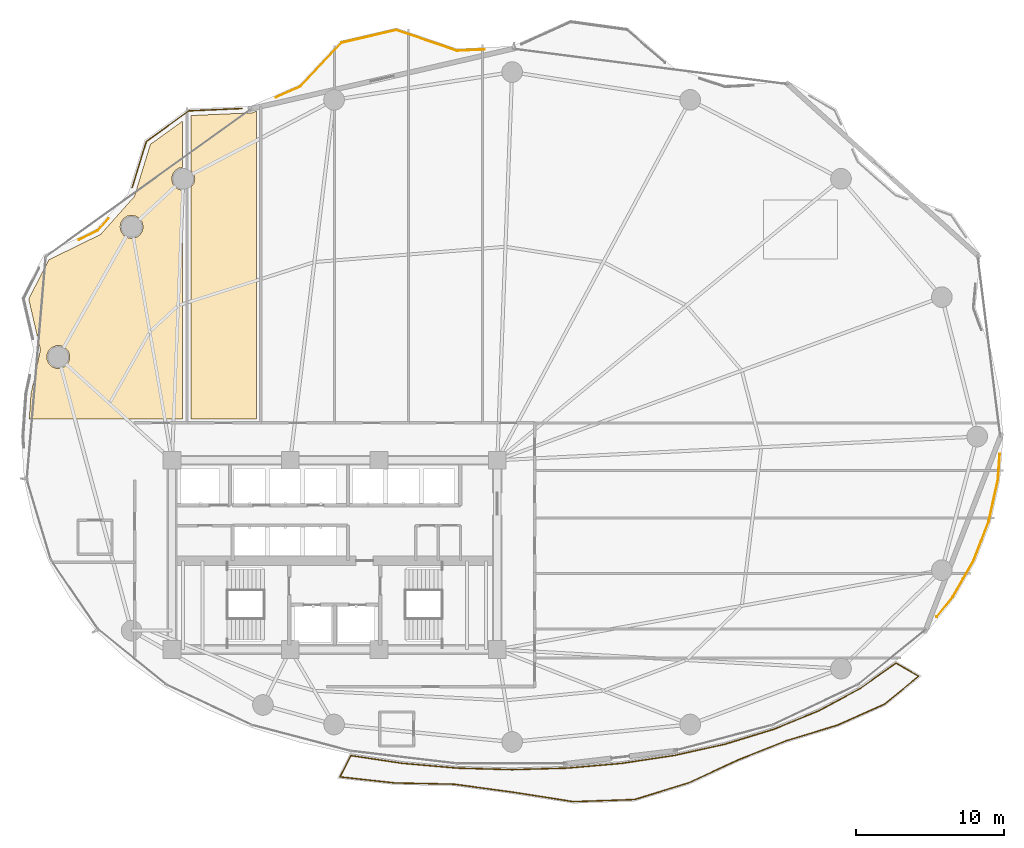
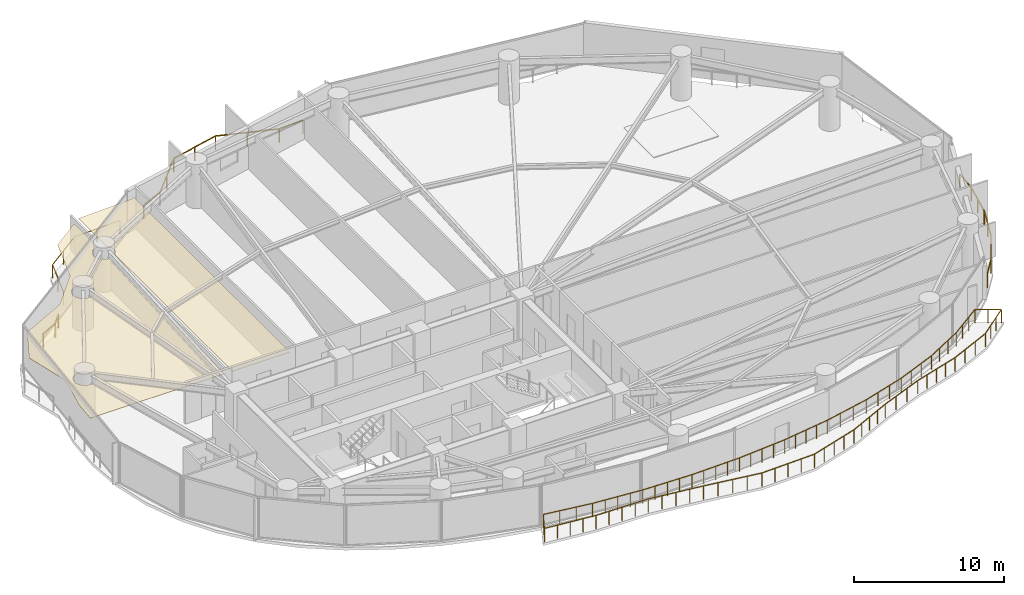
# One storey, part 29 of 30: 5 railings, 2 coverings.
"""IFC4 building model written with IfcOpenShell, lengths in metres."""

from ifc_helpers import new_model, si_unit, direction, frame, origin, origin_2d, place, context, subcontext, project, spatial, polyline, rectangle, outline, extrude, material, layer, layer_set, type_object, element, save


model = new_model("IFC4")

# Units and contexts
model_context = context("Model", 3, precision=1e-05, world=origin(), true_north=direction((0.0, 1.0)))
body_context = subcontext(model_context, "Body", "Model", "MODEL_VIEW")
ifc_project = project(units=[si_unit("LENGTHUNIT", "METRE"), si_unit("AREAUNIT", "SQUARE_METRE"), si_unit("VOLUMEUNIT", "CUBIC_METRE"), si_unit("PLANEANGLEUNIT", "RADIAN"), si_unit("MASSUNIT", "GRAM", prefix="KILO")], contexts=[model_context])

# Site, building, storey
site_placement = place(None, origin())
site = spatial("IfcSite", under=ifc_project, at=site_placement, CompositionType="ELEMENT")
building_placement = place(site_placement, origin())
building = spatial("IfcBuilding", under=site, at=building_placement, Name="Kazevale Care Tower and Concert Hall", CompositionType="ELEMENT")
storey_placement = place(building_placement, frame((0.0, 0.0, 70.800048828125)))
storey = spatial("IfcBuildingStorey", under=building, at=storey_placement, Name="L18", CompositionType="ELEMENT", Elevation=70.800048828125)

# Coverings
ifc_material_1 = material(Name="Acoustic Plaster and Hinoki Wood", Category="wood")
ifc_layer = layer(ifc_material_1, 0.0400390625)
ifc_layer_set = layer_set([ifc_layer], Name="Acoustic Plaster and Hinoki Wood")
covering_type = type_object("IfcCoveringType", Name="Acoustic Perforated Wood-Gypsum Ceiling", PredefinedType="CEILING", material=ifc_layer_set)
covering_1_placement = place(storey_placement, frame((0.0, 0.0, 2.7099609375)))
element("IfcCovering", 1, at=covering_1_placement, inside=storey, type_object=covering_type, Name="clg:L18:1", PredefinedType="CEILING", context=body_context, shape_type="SweptSolid", body=[
    extrude(outline(polyline([(12.30908203125, 47.302978515625), (13.669921875, 49.955078125), (17.172119140625, 51.672119140625), (19.452880859375, 54.22900390625), (20.5400390625, 57.763916015625), (22.719970703125, 59.3349609375), (22.719970703125, 56.2060546875), (22.4619140625, 56.15087890625), (22.2080078125, 55.98193359375), (22.0390625, 55.72802734375), (21.97998046875, 55.429931640625), (22.0390625, 55.132080078125), (22.2080078125, 54.8779296875), (22.4619140625, 54.708984375), (22.719970703125, 54.654052734375), (22.719970703125, 39.205078125), (12.345947265625, 39.205078125), (12.465087890625, 40.89111328125), (13.10400390625, 43.87890625), (12.30908203125, 47.302978515625)]), holes=[polyline([(19.990966796875, 52.47802734375), (19.822021484375, 52.73193359375), (19.568115234375, 52.90087890625), (19.27001953125, 52.9599609375), (18.971923828125, 52.90087890625), (18.718017578125, 52.73193359375), (18.549072265625, 52.47802734375), (18.489990234375, 52.179931640625), (18.549072265625, 51.882080078125), (18.718017578125, 51.6279296875), (18.971923828125, 51.458984375), (19.27001953125, 51.39990234375), (19.568115234375, 51.458984375), (19.822021484375, 51.6279296875), (19.990966796875, 51.882080078125), (20.050048828125, 52.179931640625), (19.990966796875, 52.47802734375)]), polyline([(15.074951171875, 43.531982421875), (14.958984375, 43.81298828125), (14.742919921875, 44.029052734375), (14.4619140625, 44.14501953125), (14.157958984375, 44.14501953125), (13.876953125, 44.029052734375), (13.660888671875, 43.81298828125), (13.544921875, 43.531982421875), (13.544921875, 43.22802734375), (13.660888671875, 42.947021484375), (13.876953125, 42.73095703125), (14.157958984375, 42.614990234375), (14.4619140625, 42.614990234375), (14.742919921875, 42.73095703125), (14.958984375, 42.947021484375), (15.074951171875, 43.22802734375), (15.074951171875, 43.531982421875)])]), origin(), (0.0, 0.0, 1.0), 0.0400390625),
])
covering_2_placement = place(storey_placement, frame((0.0, 0.0, 2.7099609375)))
element("IfcCovering", 2, at=covering_2_placement, inside=storey, type_object=covering_type, Name="clg:L18:2", PredefinedType="CEILING", context=body_context, shape_type="SweptSolid", body=[
    extrude(outline(polyline([(27.443115234375, 59.89794921875), (27.719970703125, 60.02001953125), (27.719970703125, 39.205078125), (23.280029296875, 39.205078125), (23.280029296875, 54.85302734375), (23.48095703125, 55.132080078125), (23.5400390625, 55.429931640625), (23.48095703125, 55.72802734375), (23.280029296875, 56.007080078125), (23.280029296875, 59.712890625), (27.443115234375, 59.89794921875)])), origin(), (0.0, 0.0, 1.0), 0.0400390625),
])

# Railings
ifc_material_2 = material(Name="Anodised Bronze Aluminium and Laminated Glass", Category="aluminium")
railing_type = type_object("IfcRailingType", Name="Balcony and Terrace Balustrade 1120", PredefinedType="BALUSTRADE", material=ifc_material_2)
railing_1_placement = place(storey_placement, frame((15.705078125, 51.30908203125, 0.0)))
element("IfcRailing", 3, at=railing_1_placement, inside=storey, type_object=railing_type, Name="rail:L18:perim:3", PredefinedType="BALUSTRADE", context=body_context, shape_type="SweptSolid", body=[
    extrude(rectangle(XDim=0.048095703125, YDim=0.048095703125, at=origin_2d()), frame((0.0, 0.0, 1.09619140625), z_axis=(0.897852496852, 0.440296370525, 0.0), x_axis=(-0.440296370525, 0.897852496852, 0.0)), (0.0, 0.0, 1.0), 1.41455078125),
    extrude(rectangle(XDim=0.048095703125, YDim=0.048095703125, at=origin_2d()), frame((1.27001953125, 0.622802734375, 1.09619140625), z_axis=(0.66593553458, 0.746009292022, 0.0), x_axis=(-0.746009292022, 0.66593553458, 0.0)), (0.0, 0.0, 1.0), 1.08837890625),
    extrude(rectangle(XDim=0.0419921875, YDim=0.0419921875, at=origin_2d()), origin(), (0.0, 0.0, 1.0), 1.072021484375),
    extrude(rectangle(XDim=0.0419921875, YDim=0.0419921875, at=origin_2d()), frame((1.27001953125, 0.622802734375, 0.0)), (0.0, 0.0, 1.0), 1.072021484375),
    extrude(rectangle(XDim=0.0419921875, YDim=0.0419921875, at=origin_2d()), frame((1.994873046875, 1.434814453125, 0.0)), (0.0, 0.0, 1.0), 1.072021484375),
])
railing_2_placement = place(storey_placement, frame((19.304931640625, 54.8349609375, 0.0)))
element("IfcRailing", 4, at=railing_2_placement, inside=storey, type_object=railing_type, Name="rail:L18:perim:4", PredefinedType="BALUSTRADE", context=body_context, shape_type="SweptSolid", body=[
    extrude(rectangle(XDim=0.048095703125, YDim=0.048095703125, at=origin_2d()), frame((0.0, 0.0, 1.09619140625), z_axis=(0.293644998859, 0.955914543589, 0.0), x_axis=(-0.955914543589, 0.293644998859, 0.0)), (0.0, 0.0, 1.0), 3.26904296875),
    extrude(rectangle(XDim=0.048095703125, YDim=0.048095703125, at=origin_2d()), frame((0.9599609375, 3.125, 1.09619140625), z_axis=(0.811163424766, 0.584819543383, 0.0), x_axis=(-0.584819543383, 0.811163424766, 0.0)), (0.0, 0.0, 1.0), 3.53466796875),
    extrude(rectangle(XDim=0.048095703125, YDim=0.048095703125, at=origin_2d()), frame((3.8271484375, 5.192138671875, 1.09619140625), z_axis=(0.999021313823, 0.044231374919, 0.0), x_axis=(-0.044231374919, 0.999021313823, 0.0)), (0.0, 0.0, 1.0), 3.615234375),
    extrude(rectangle(XDim=0.0419921875, YDim=0.0419921875, at=origin_2d()), origin(), (0.0, 0.0, 1.0), 1.072021484375),
    extrude(rectangle(XDim=0.0419921875, YDim=0.0419921875, at=origin_2d()), frame((0.47998046875, 1.5625, 0.0)), (0.0, 0.0, 1.0), 1.072021484375),
    extrude(rectangle(XDim=0.0419921875, YDim=0.0419921875, at=origin_2d()), frame((0.9599609375, 3.125, 0.0)), (0.0, 0.0, 1.0), 1.072021484375),
    extrude(rectangle(XDim=0.0419921875, YDim=0.0419921875, at=origin_2d()), frame((2.3935546875, 4.15869140625, 0.0)), (0.0, 0.0, 1.0), 1.072021484375),
    extrude(rectangle(XDim=0.0419921875, YDim=0.0419921875, at=origin_2d()), frame((3.8271484375, 5.192138671875, 0.0)), (0.0, 0.0, 1.0), 1.072021484375),
    extrude(rectangle(XDim=0.0419921875, YDim=0.0419921875, at=origin_2d()), frame((5.633056640625, 5.27197265625, 0.0)), (0.0, 0.0, 1.0), 1.072021484375),
    extrude(rectangle(XDim=0.0419921875, YDim=0.0419921875, at=origin_2d()), frame((7.43896484375, 5.35205078125, 0.0)), (0.0, 0.0, 1.0), 1.072021484375),
])
railing_3_placement = place(storey_placement, frame((29.02294921875, 60.94189453125, 0.0)))
element("IfcRailing", 5, at=railing_3_placement, inside=storey, type_object=railing_type, Name="rail:L18:perim:5", PredefinedType="BALUSTRADE", context=body_context, shape_type="SweptSolid", body=[
    extrude(rectangle(XDim=0.048095703125, YDim=0.048095703125, at=origin_2d()), frame((0.0, 0.0, 1.09619140625), z_axis=(0.915551857472, 0.402199945649, 0.0), x_axis=(-0.402199945649, 0.915551857472, 0.0)), (0.0, 0.0, 1.0), 1.8076171875),
    extrude(rectangle(XDim=0.048095703125, YDim=0.048095703125, at=origin_2d()), frame((1.655029296875, 0.72705078125, 1.09619140625), z_axis=(0.685012615357, 0.728531205098, 0.0), x_axis=(-0.728531205098, 0.685012615357, 0.0)), (0.0, 0.0, 1.0), 4.0673828125),
    extrude(rectangle(XDim=0.048095703125, YDim=0.048095703125, at=origin_2d()), frame((4.441162109375, 3.690185546875, 1.09619140625), z_axis=(0.974021191549, 0.226456879811, 0.0), x_axis=(-0.226456879811, 0.974021191549, 0.0)), (0.0, 0.0, 1.0), 3.8056640625),
    extrude(rectangle(XDim=0.048095703125, YDim=0.048095703125, at=origin_2d()), frame((8.14794921875, 4.552001953125, 1.09619140625), z_axis=(0.946095269319, -0.323888470578, 0.0), x_axis=(0.323888470578, 0.946095269319, 0.0)), (0.0, 0.0, 1.0), 4.3251953125),
    extrude(rectangle(XDim=0.048095703125, YDim=0.048095703125, at=origin_2d()), frame((12.239990234375, 3.151123046875, 1.09619140625), z_axis=(0.999004839939, 0.044601903302, 0.0), x_axis=(-0.044601903302, 0.999004839939, 0.0)), (0.0, 0.0, 1.0), 1.883056640625),
    extrude(rectangle(XDim=0.0419921875, YDim=0.0419921875, at=origin_2d()), origin(), (0.0, 0.0, 1.0), 1.072021484375),
    extrude(rectangle(XDim=0.0419921875, YDim=0.0419921875, at=origin_2d()), frame((1.655029296875, 0.72705078125, 0.0)), (0.0, 0.0, 1.0), 1.072021484375),
    extrude(rectangle(XDim=0.0419921875, YDim=0.0419921875, at=origin_2d()), frame((3.048095703125, 2.20849609375, 0.0)), (0.0, 0.0, 1.0), 1.072021484375),
    extrude(rectangle(XDim=0.0419921875, YDim=0.0419921875, at=origin_2d()), frame((4.441162109375, 3.690185546875, 0.0)), (0.0, 0.0, 1.0), 1.072021484375),
    extrude(rectangle(XDim=0.0419921875, YDim=0.0419921875, at=origin_2d()), frame((6.29443359375, 4.12109375, 0.0)), (0.0, 0.0, 1.0), 1.072021484375),
    extrude(rectangle(XDim=0.0419921875, YDim=0.0419921875, at=origin_2d()), frame((8.14794921875, 4.552001953125, 0.0)), (0.0, 0.0, 1.0), 1.072021484375),
    extrude(rectangle(XDim=0.0419921875, YDim=0.0419921875, at=origin_2d()), frame((10.19384765625, 3.8515625, 0.0)), (0.0, 0.0, 1.0), 1.072021484375),
    extrude(rectangle(XDim=0.0419921875, YDim=0.0419921875, at=origin_2d()), frame((12.239990234375, 3.151123046875, 0.0)), (0.0, 0.0, 1.0), 1.072021484375),
    extrude(rectangle(XDim=0.0419921875, YDim=0.0419921875, at=origin_2d()), frame((14.12109375, 3.235107421875, 0.0)), (0.0, 0.0, 1.0), 1.072021484375),
])
railing_4_placement = place(storey_placement, frame((77.97705078125, 36.833984375, 0.0)))
element("IfcRailing", 6, at=railing_4_placement, inside=storey, type_object=railing_type, Name="rail:L18:perim:11", PredefinedType="BALUSTRADE", context=body_context, shape_type="SweptSolid", body=[
    extrude(rectangle(XDim=0.048095703125, YDim=0.048095703125, at=origin_2d()), frame((0.0, 0.0, 1.09619140625), z_axis=(-0.071286628485, -0.997455872006, 0.0), x_axis=(0.997455872006, -0.071286628485, 0.0)), (0.0, 0.0, 1.0), 1.75341796875),
    extrude(rectangle(XDim=0.048095703125, YDim=0.048095703125, at=origin_2d()), frame((-0.125, -1.7490234375, 1.09619140625), z_axis=(-0.215098010705, -0.976592466585, 0.0), x_axis=(0.976592466585, -0.215098010705, 0.0)), (0.0, 0.0, 1.0), 2.87841796875),
    extrude(rectangle(XDim=0.048095703125, YDim=0.048095703125, at=origin_2d()), frame((-0.744140625, -4.56005859375, 1.09619140625), z_axis=(-0.359784505971, -0.933035427657, 0.0), x_axis=(0.933035427657, -0.359784505971, 0.0)), (0.0, 0.0, 1.0), 2.84326171875),
    extrude(rectangle(XDim=0.048095703125, YDim=0.048095703125, at=origin_2d()), frame((-1.76708984375, -7.212890625, 1.09619140625), z_axis=(-0.498807638719, -0.866712720315, 0.0), x_axis=(0.866712720315, -0.498807638719, 0.0)), (0.0, 0.0, 1.0), 2.8349609375),
    extrude(rectangle(XDim=0.048095703125, YDim=0.048095703125, at=origin_2d()), frame((-3.18115234375, -9.669921875, 1.09619140625), z_axis=(-0.624746863437, -0.780827353917, 0.0), x_axis=(0.780827353917, -0.624746863437, 0.0)), (0.0, 0.0, 1.0), 1.7236328125),
    extrude(rectangle(XDim=0.0419921875, YDim=0.0419921875, at=origin_2d()), origin(), (0.0, 0.0, 1.0), 1.072021484375),
    extrude(rectangle(XDim=0.0419921875, YDim=0.0419921875, at=origin_2d()), frame((-0.125, -1.7490234375, 0.0)), (0.0, 0.0, 1.0), 1.072021484375),
    extrude(rectangle(XDim=0.0419921875, YDim=0.0419921875, at=origin_2d()), frame((-0.4345703125, -3.154541015625, 0.0)), (0.0, 0.0, 1.0), 1.072021484375),
    extrude(rectangle(XDim=0.0419921875, YDim=0.0419921875, at=origin_2d()), frame((-0.744140625, -4.56005859375, 0.0)), (0.0, 0.0, 1.0), 1.072021484375),
    extrude(rectangle(XDim=0.0419921875, YDim=0.0419921875, at=origin_2d()), frame((-1.255615234375, -5.886474609375, 0.0)), (0.0, 0.0, 1.0), 1.072021484375),
    extrude(rectangle(XDim=0.0419921875, YDim=0.0419921875, at=origin_2d()), frame((-1.76708984375, -7.212890625, 0.0)), (0.0, 0.0, 1.0), 1.072021484375),
    extrude(rectangle(XDim=0.0419921875, YDim=0.0419921875, at=origin_2d()), frame((-2.47412109375, -8.44140625, 0.0)), (0.0, 0.0, 1.0), 1.072021484375),
    extrude(rectangle(XDim=0.0419921875, YDim=0.0419921875, at=origin_2d()), frame((-3.18115234375, -9.669921875, 0.0)), (0.0, 0.0, 1.0), 1.072021484375),
    extrude(rectangle(XDim=0.0419921875, YDim=0.0419921875, at=origin_2d()), frame((-4.258056640625, -11.015869140625, 0.0)), (0.0, 0.0, 1.0), 1.072021484375),
])
railing_5_placement = place(storey_placement, frame((34.10009765625, 16.427978515625, 0.0)))
element("IfcRailing", 7, at=railing_5_placement, inside=storey, type_object=railing_type, Name="rail:L18:balcony", PredefinedType="BALUSTRADE", context=body_context, shape_type="SweptSolid", body=[
    extrude(rectangle(XDim=0.048095703125, YDim=0.048095703125, at=origin_2d()), frame((0.0, 0.0, 1.09619140625), z_axis=(0.988835380671, -0.149012046267, 0.0), x_axis=(0.149012046267, 0.988835380671, 0.0)), (0.0, 0.0, 1.0), 3.537353515625),
    extrude(rectangle(XDim=0.048095703125, YDim=0.048095703125, at=origin_2d()), frame((3.497802734375, -0.527099609375, 1.09619140625), z_axis=(0.996240588196, -0.086629616365, 0.0), x_axis=(0.086629616365, 0.996240588196, 0.0)), (0.0, 0.0, 1.0), 3.69189453125),
    extrude(rectangle(XDim=0.048095703125, YDim=0.048095703125, at=origin_2d()), frame((7.17578125, -0.846923828125, 1.09619140625), z_axis=(0.999595500109, -0.02844004504, 0.0), x_axis=(0.02844004504, 0.999595500109, 0.0)), (0.0, 0.0, 1.0), 3.7255859375),
    extrude(rectangle(XDim=0.048095703125, YDim=0.048095703125, at=origin_2d()), frame((10.89990234375, -0.952880859375, 1.09619140625), z_axis=(0.999595500109, 0.02844004504, 0.0), x_axis=(-0.02844004504, 0.999595500109, 0.0)), (0.0, 0.0, 1.0), 3.7255859375),
    extrude(rectangle(XDim=0.048095703125, YDim=0.048095703125, at=origin_2d()), frame((14.6240234375, -0.846923828125, 1.09619140625), z_axis=(0.996240588196, 0.086629616365, 0.0), x_axis=(-0.086629616365, 0.996240588196, 0.0)), (0.0, 0.0, 1.0), 3.69189453125),
    extrude(rectangle(XDim=0.048095703125, YDim=0.048095703125, at=origin_2d()), frame((18.302001953125, -0.527099609375, 1.09619140625), z_axis=(0.988849271471, 0.148919838541, 0.0), x_axis=(-0.148919838541, 0.988849271471, 0.0)), (0.0, 0.0, 1.0), 3.62646484375),
    extrude(rectangle(XDim=0.048095703125, YDim=0.048095703125, at=origin_2d()), frame((21.887939453125, 0.012939453125, 1.09619140625), z_axis=(0.976148024322, 0.217106044625, 0.0), x_axis=(-0.217106044625, 0.976148024322, 0.0)), (0.0, 0.0, 1.0), 3.533203125),
    extrude(rectangle(XDim=0.048095703125, YDim=0.048095703125, at=origin_2d()), frame((25.3369140625, 0.780029296875, 1.09619140625), z_axis=(0.95593940193, 0.293564064282, 0.0), x_axis=(-0.293564064282, 0.95593940193, 0.0)), (0.0, 0.0, 1.0), 3.419677734375),
    extrude(rectangle(XDim=0.048095703125, YDim=0.048095703125, at=origin_2d()), frame((28.60595703125, 1.783935546875, 1.09619140625), z_axis=(0.925168618375, 0.379556356256, 0.0), x_axis=(-0.379556356256, 0.925168618375, 0.0)), (0.0, 0.0, 1.0), 3.293212890625),
    extrude(rectangle(XDim=0.048095703125, YDim=0.048095703125, at=origin_2d()), frame((31.65283203125, 3.033935546875, 1.09619140625), z_axis=(0.880032904554, 0.474912715036, 0.0), x_axis=(-0.474912715036, 0.880032904554, 0.0)), (0.0, 0.0, 1.0), 3.169189453125),
    extrude(rectangle(XDim=0.048095703125, YDim=0.048095703125, at=origin_2d()), frame((34.44189453125, 4.5390625, 1.09619140625), z_axis=(0.816594193991, 0.577212198711, 0.0), x_axis=(-0.577212198711, 0.816594193991, 0.0)), (0.0, 0.0, 1.0), 2.970947265625),
    extrude(rectangle(XDim=0.048095703125, YDim=0.048095703125, at=origin_2d()), frame((36.867919921875, 6.25390625, 1.09619140625), z_axis=(0.863206921389, -0.504850285596, 0.0), x_axis=(0.504850285596, 0.863206921389, 0.0)), (0.0, 0.0, 1.0), 1.7666015625),
    extrude(rectangle(XDim=0.048095703125, YDim=0.048095703125, at=origin_2d()), frame((38.392822265625, 5.362060546875, 1.09619140625), z_axis=(-0.77569879253, -0.631103306335, 0.0), x_axis=(0.631103306335, -0.77569879253, 0.0)), (0.0, 0.0, 1.0), 2.98681640625),
    extrude(rectangle(XDim=0.048095703125, YDim=0.048095703125, at=origin_2d()), frame((36.075927734375, 3.47705078125, 1.09619140625), z_axis=(-0.912787896612, -0.40843390628, 0.0), x_axis=(0.40843390628, -0.912787896612, 0.0)), (0.0, 0.0, 1.0), 3.4716796875),
    extrude(rectangle(XDim=0.048095703125, YDim=0.048095703125, at=origin_2d()), frame((32.906982421875, 2.05908203125, 1.09619140625), z_axis=(-0.956592407405, -0.291429178525, 0.0), x_axis=(0.291429178525, -0.956592407405, 0.0)), (0.0, 0.0, 1.0), 3.630859375),
    extrude(rectangle(XDim=0.048095703125, YDim=0.048095703125, at=origin_2d()), frame((29.433837890625, 1.0009765625, 1.09619140625), z_axis=(-0.929112783514, -0.369796478501, 0.0), x_axis=(0.369796478501, -0.929112783514, 0.0)), (0.0, 0.0, 1.0), 3.512939453125),
    extrude(rectangle(XDim=0.048095703125, YDim=0.048095703125, at=origin_2d()), frame((26.169921875, -0.298095703125, 1.09619140625), z_axis=(-0.906415343657, -0.422387529151, 0.0), x_axis=(0.422387529151, -0.906415343657, 0.0)), (0.0, 0.0, 1.0), 3.6240234375),
    extrude(rectangle(XDim=0.048095703125, YDim=0.048095703125, at=origin_2d()), frame((22.885009765625, -1.828857421875, 1.09619140625), z_axis=(-0.955596785505, -0.294677422843, 0.0), x_axis=(0.294677422843, -0.955596785505, 0.0)), (0.0, 0.0, 1.0), 3.8857421875),
    extrude(rectangle(XDim=0.048095703125, YDim=0.048095703125, at=origin_2d()), frame((19.171875, -2.973876953125, 1.09619140625), z_axis=(-0.999416204471, -0.034165044132, 0.0), x_axis=(0.034165044132, -0.999416204471, 0.0)), (0.0, 0.0, 1.0), 4.13037109375),
    extrude(rectangle(XDim=0.048095703125, YDim=0.048095703125, at=origin_2d()), frame((15.0439453125, -3.114990234375, 1.09619140625), z_axis=(-0.987933908296, 0.154876056376, 0.0), x_axis=(-0.154876056376, -0.987933908296, 0.0)), (0.0, 0.0, 1.0), 4.17724609375),
    extrude(rectangle(XDim=0.048095703125, YDim=0.048095703125, at=origin_2d()), frame((10.9169921875, -2.468017578125, 1.09619140625), z_axis=(-0.99097395301, 0.134054557756, 0.0), x_axis=(-0.134054557756, -0.99097395301, 0.0)), (0.0, 0.0, 1.0), 3.98291015625),
    extrude(rectangle(XDim=0.048095703125, YDim=0.048095703125, at=origin_2d()), frame((6.969970703125, -1.93408203125, 1.09619140625), z_axis=(-0.999787348797, 0.020621764837, 0.0), x_axis=(-0.020621764837, -0.999787348797, 0.0)), (0.0, 0.0, 1.0), 3.977783203125),
    extrude(rectangle(XDim=0.048095703125, YDim=0.048095703125, at=origin_2d()), frame((2.992919921875, -1.85205078125, 1.09619140625), z_axis=(-0.994039792805, 0.109017844048, 0.0), x_axis=(-0.109017844048, -0.994039792805, 0.0)), (0.0, 0.0, 1.0), 3.75341796875),
    extrude(rectangle(XDim=0.048095703125, YDim=0.048095703125, at=origin_2d()), frame((-0.738037109375, -1.44287109375, 1.09619140625), z_axis=(0.455389730462, 0.890292195512, 0.0), x_axis=(-0.890292195512, 0.455389730462, 0.0)), (0.0, 0.0, 1.0), 1.62060546875),
    extrude(rectangle(XDim=0.0419921875, YDim=0.0419921875, at=origin_2d()), origin(), (0.0, 0.0, 1.0), 1.072021484375),
    extrude(rectangle(XDim=0.0419921875, YDim=0.0419921875, at=origin_2d()), frame((1.166015625, -0.17578125, 0.0)), (0.0, 0.0, 1.0), 1.072021484375),
    extrude(rectangle(XDim=0.0419921875, YDim=0.0419921875, at=origin_2d()), frame((2.331787109375, -0.351318359375, 0.0)), (0.0, 0.0, 1.0), 1.072021484375),
    extrude(rectangle(XDim=0.0419921875, YDim=0.0419921875, at=origin_2d()), frame((3.497802734375, -0.527099609375, 0.0)), (0.0, 0.0, 1.0), 1.072021484375),
    extrude(rectangle(XDim=0.0419921875, YDim=0.0419921875, at=origin_2d()), frame((4.417236328125, -0.60693359375, 0.0)), (0.0, 0.0, 1.0), 1.072021484375),
    extrude(rectangle(XDim=0.0419921875, YDim=0.0419921875, at=origin_2d()), frame((5.3369140625, -0.68701171875, 0.0)), (0.0, 0.0, 1.0), 1.072021484375),
    extrude(rectangle(XDim=0.0419921875, YDim=0.0419921875, at=origin_2d()), frame((6.25634765625, -0.76708984375, 0.0)), (0.0, 0.0, 1.0), 1.072021484375),
    extrude(rectangle(XDim=0.0419921875, YDim=0.0419921875, at=origin_2d()), frame((7.17578125, -0.846923828125, 0.0)), (0.0, 0.0, 1.0), 1.072021484375),
    extrude(rectangle(XDim=0.0419921875, YDim=0.0419921875, at=origin_2d()), frame((8.10693359375, -0.87353515625, 0.0)), (0.0, 0.0, 1.0), 1.072021484375),
    extrude(rectangle(XDim=0.0419921875, YDim=0.0419921875, at=origin_2d()), frame((9.037841796875, -0.89990234375, 0.0)), (0.0, 0.0, 1.0), 1.072021484375),
    extrude(rectangle(XDim=0.0419921875, YDim=0.0419921875, at=origin_2d()), frame((9.96875, -0.92626953125, 0.0)), (0.0, 0.0, 1.0), 1.072021484375),
    extrude(rectangle(XDim=0.0419921875, YDim=0.0419921875, at=origin_2d()), frame((10.89990234375, -0.952880859375, 0.0)), (0.0, 0.0, 1.0), 1.072021484375),
    extrude(rectangle(XDim=0.0419921875, YDim=0.0419921875, at=origin_2d()), frame((11.8310546875, -0.92626953125, 0.0)), (0.0, 0.0, 1.0), 1.072021484375),
    extrude(rectangle(XDim=0.0419921875, YDim=0.0419921875, at=origin_2d()), frame((12.761962890625, -0.89990234375, 0.0)), (0.0, 0.0, 1.0), 1.072021484375),
    extrude(rectangle(XDim=0.0419921875, YDim=0.0419921875, at=origin_2d()), frame((13.69287109375, -0.87353515625, 0.0)), (0.0, 0.0, 1.0), 1.072021484375),
    extrude(rectangle(XDim=0.0419921875, YDim=0.0419921875, at=origin_2d()), frame((14.6240234375, -0.846923828125, 0.0)), (0.0, 0.0, 1.0), 1.072021484375),
    extrude(rectangle(XDim=0.0419921875, YDim=0.0419921875, at=origin_2d()), frame((15.54345703125, -0.76708984375, 0.0)), (0.0, 0.0, 1.0), 1.072021484375),
    extrude(rectangle(XDim=0.0419921875, YDim=0.0419921875, at=origin_2d()), frame((16.462890625, -0.68701171875, 0.0)), (0.0, 0.0, 1.0), 1.072021484375),
    extrude(rectangle(XDim=0.0419921875, YDim=0.0419921875, at=origin_2d()), frame((17.382568359375, -0.60693359375, 0.0)), (0.0, 0.0, 1.0), 1.072021484375),
    extrude(rectangle(XDim=0.0419921875, YDim=0.0419921875, at=origin_2d()), frame((18.302001953125, -0.527099609375, 0.0)), (0.0, 0.0, 1.0), 1.072021484375),
    extrude(rectangle(XDim=0.0419921875, YDim=0.0419921875, at=origin_2d()), frame((19.198486328125, -0.39208984375, 0.0)), (0.0, 0.0, 1.0), 1.072021484375),
    extrude(rectangle(XDim=0.0419921875, YDim=0.0419921875, at=origin_2d()), frame((20.094970703125, -0.257080078125, 0.0)), (0.0, 0.0, 1.0), 1.072021484375),
    extrude(rectangle(XDim=0.0419921875, YDim=0.0419921875, at=origin_2d()), frame((20.991455078125, -0.1220703125, 0.0)), (0.0, 0.0, 1.0), 1.072021484375),
    extrude(rectangle(XDim=0.0419921875, YDim=0.0419921875, at=origin_2d()), frame((21.887939453125, 0.012939453125, 0.0)), (0.0, 0.0, 1.0), 1.072021484375),
    extrude(rectangle(XDim=0.0419921875, YDim=0.0419921875, at=origin_2d()), frame((23.03759765625, 0.2685546875, 0.0)), (0.0, 0.0, 1.0), 1.072021484375),
    extrude(rectangle(XDim=0.0419921875, YDim=0.0419921875, at=origin_2d()), frame((24.187255859375, 0.5244140625, 0.0)), (0.0, 0.0, 1.0), 1.072021484375),
    extrude(rectangle(XDim=0.0419921875, YDim=0.0419921875, at=origin_2d()), frame((25.3369140625, 0.780029296875, 0.0)), (0.0, 0.0, 1.0), 1.072021484375),
    extrude(rectangle(XDim=0.0419921875, YDim=0.0419921875, at=origin_2d()), frame((26.426513671875, 1.11474609375, 0.0)), (0.0, 0.0, 1.0), 1.072021484375),
    extrude(rectangle(XDim=0.0419921875, YDim=0.0419921875, at=origin_2d()), frame((27.516357421875, 1.44921875, 0.0)), (0.0, 0.0, 1.0), 1.072021484375),
    extrude(rectangle(XDim=0.0419921875, YDim=0.0419921875, at=origin_2d()), frame((28.60595703125, 1.783935546875, 0.0)), (0.0, 0.0, 1.0), 1.072021484375),
    extrude(rectangle(XDim=0.0419921875, YDim=0.0419921875, at=origin_2d()), frame((29.62158203125, 2.20068359375, 0.0)), (0.0, 0.0, 1.0), 1.072021484375),
    extrude(rectangle(XDim=0.0419921875, YDim=0.0419921875, at=origin_2d()), frame((30.63720703125, 2.6171875, 0.0)), (0.0, 0.0, 1.0), 1.072021484375),
    extrude(rectangle(XDim=0.0419921875, YDim=0.0419921875, at=origin_2d()), frame((31.65283203125, 3.033935546875, 0.0)), (0.0, 0.0, 1.0), 1.072021484375),
    extrude(rectangle(XDim=0.0419921875, YDim=0.0419921875, at=origin_2d()), frame((32.58251953125, 3.53564453125, 0.0)), (0.0, 0.0, 1.0), 1.072021484375),
    extrude(rectangle(XDim=0.0419921875, YDim=0.0419921875, at=origin_2d()), frame((33.51220703125, 4.037353515625, 0.0)), (0.0, 0.0, 1.0), 1.072021484375),
    extrude(rectangle(XDim=0.0419921875, YDim=0.0419921875, at=origin_2d()), frame((34.44189453125, 4.5390625, 0.0)), (0.0, 0.0, 1.0), 1.072021484375),
    extrude(rectangle(XDim=0.0419921875, YDim=0.0419921875, at=origin_2d()), frame((35.25048828125, 5.110595703125, 0.0)), (0.0, 0.0, 1.0), 1.072021484375),
    extrude(rectangle(XDim=0.0419921875, YDim=0.0419921875, at=origin_2d()), frame((36.059326171875, 5.682373046875, 0.0)), (0.0, 0.0, 1.0), 1.072021484375),
    extrude(rectangle(XDim=0.0419921875, YDim=0.0419921875, at=origin_2d()), frame((36.867919921875, 6.25390625, 0.0)), (0.0, 0.0, 1.0), 1.072021484375),
    extrude(rectangle(XDim=0.0419921875, YDim=0.0419921875, at=origin_2d()), frame((37.63037109375, 5.80810546875, 0.0)), (0.0, 0.0, 1.0), 1.072021484375),
    extrude(rectangle(XDim=0.0419921875, YDim=0.0419921875, at=origin_2d()), frame((38.392822265625, 5.362060546875, 0.0)), (0.0, 0.0, 1.0), 1.072021484375),
    extrude(rectangle(XDim=0.0419921875, YDim=0.0419921875, at=origin_2d()), frame((37.62060546875, 4.733642578125, 0.0)), (0.0, 0.0, 1.0), 1.072021484375),
    extrude(rectangle(XDim=0.0419921875, YDim=0.0419921875, at=origin_2d()), frame((36.84814453125, 4.10546875, 0.0)), (0.0, 0.0, 1.0), 1.072021484375),
    extrude(rectangle(XDim=0.0419921875, YDim=0.0419921875, at=origin_2d()), frame((36.075927734375, 3.47705078125, 0.0)), (0.0, 0.0, 1.0), 1.072021484375),
    extrude(rectangle(XDim=0.0419921875, YDim=0.0419921875, at=origin_2d()), frame((35.01953125, 3.00439453125, 0.0)), (0.0, 0.0, 1.0), 1.072021484375),
    extrude(rectangle(XDim=0.0419921875, YDim=0.0419921875, at=origin_2d()), frame((33.96337890625, 2.53173828125, 0.0)), (0.0, 0.0, 1.0), 1.072021484375),
    extrude(rectangle(XDim=0.0419921875, YDim=0.0419921875, at=origin_2d()), frame((32.906982421875, 2.05908203125, 0.0)), (0.0, 0.0, 1.0), 1.072021484375),
    extrude(rectangle(XDim=0.0419921875, YDim=0.0419921875, at=origin_2d()), frame((32.03857421875, 1.79443359375, 0.0)), (0.0, 0.0, 1.0), 1.072021484375),
    extrude(rectangle(XDim=0.0419921875, YDim=0.0419921875, at=origin_2d()), frame((31.17041015625, 1.530029296875, 0.0)), (0.0, 0.0, 1.0), 1.072021484375),
    extrude(rectangle(XDim=0.0419921875, YDim=0.0419921875, at=origin_2d()), frame((30.30224609375, 1.265625, 0.0)), (0.0, 0.0, 1.0), 1.072021484375),
    extrude(rectangle(XDim=0.0419921875, YDim=0.0419921875, at=origin_2d()), frame((29.433837890625, 1.0009765625, 0.0)), (0.0, 0.0, 1.0), 1.072021484375),
    extrude(rectangle(XDim=0.0419921875, YDim=0.0419921875, at=origin_2d()), frame((28.345947265625, 0.56787109375, 0.0)), (0.0, 0.0, 1.0), 1.072021484375),
    extrude(rectangle(XDim=0.0419921875, YDim=0.0419921875, at=origin_2d()), frame((27.2578125, 0.135009765625, 0.0)), (0.0, 0.0, 1.0), 1.072021484375),
    extrude(rectangle(XDim=0.0419921875, YDim=0.0419921875, at=origin_2d()), frame((26.169921875, -0.298095703125, 0.0)), (0.0, 0.0, 1.0), 1.072021484375),
    extrude(rectangle(XDim=0.0419921875, YDim=0.0419921875, at=origin_2d()), frame((25.3486328125, -0.6806640625, 0.0)), (0.0, 0.0, 1.0), 1.072021484375),
    extrude(rectangle(XDim=0.0419921875, YDim=0.0419921875, at=origin_2d()), frame((24.52734375, -1.0634765625, 0.0)), (0.0, 0.0, 1.0), 1.072021484375),
    extrude(rectangle(XDim=0.0419921875, YDim=0.0419921875, at=origin_2d()), frame((23.706298828125, -1.4462890625, 0.0)), (0.0, 0.0, 1.0), 1.072021484375),
    extrude(rectangle(XDim=0.0419921875, YDim=0.0419921875, at=origin_2d()), frame((22.885009765625, -1.828857421875, 0.0)), (0.0, 0.0, 1.0), 1.072021484375),
    extrude(rectangle(XDim=0.0419921875, YDim=0.0419921875, at=origin_2d()), frame((21.956787109375, -2.115234375, 0.0)), (0.0, 0.0, 1.0), 1.072021484375),
    extrude(rectangle(XDim=0.0419921875, YDim=0.0419921875, at=origin_2d()), frame((21.0283203125, -2.4013671875, 0.0)), (0.0, 0.0, 1.0), 1.072021484375),
    extrude(rectangle(XDim=0.0419921875, YDim=0.0419921875, at=origin_2d()), frame((20.10009765625, -2.6875, 0.0)), (0.0, 0.0, 1.0), 1.072021484375),
    extrude(rectangle(XDim=0.0419921875, YDim=0.0419921875, at=origin_2d()), frame((19.171875, -2.973876953125, 0.0)), (0.0, 0.0, 1.0), 1.072021484375),
    extrude(rectangle(XDim=0.0419921875, YDim=0.0419921875, at=origin_2d()), frame((18.139892578125, -3.00927734375, 0.0)), (0.0, 0.0, 1.0), 1.072021484375),
    extrude(rectangle(XDim=0.0419921875, YDim=0.0419921875, at=origin_2d()), frame((17.10791015625, -3.04443359375, 0.0)), (0.0, 0.0, 1.0), 1.072021484375),
    extrude(rectangle(XDim=0.0419921875, YDim=0.0419921875, at=origin_2d()), frame((16.075927734375, -3.07958984375, 0.0)), (0.0, 0.0, 1.0), 1.072021484375),
    extrude(rectangle(XDim=0.0419921875, YDim=0.0419921875, at=origin_2d()), frame((15.0439453125, -3.114990234375, 0.0)), (0.0, 0.0, 1.0), 1.072021484375),
    extrude(rectangle(XDim=0.0419921875, YDim=0.0419921875, at=origin_2d()), frame((14.01220703125, -2.953125, 0.0)), (0.0, 0.0, 1.0), 1.072021484375),
    extrude(rectangle(XDim=0.0419921875, YDim=0.0419921875, at=origin_2d()), frame((12.98046875, -2.79150390625, 0.0)), (0.0, 0.0, 1.0), 1.072021484375),
    extrude(rectangle(XDim=0.0419921875, YDim=0.0419921875, at=origin_2d()), frame((11.94873046875, -2.6298828125, 0.0)), (0.0, 0.0, 1.0), 1.072021484375),
    extrude(rectangle(XDim=0.0419921875, YDim=0.0419921875, at=origin_2d()), frame((10.9169921875, -2.468017578125, 0.0)), (0.0, 0.0, 1.0), 1.072021484375),
    extrude(rectangle(XDim=0.0419921875, YDim=0.0419921875, at=origin_2d()), frame((9.93017578125, -2.33447265625, 0.0)), (0.0, 0.0, 1.0), 1.072021484375),
    extrude(rectangle(XDim=0.0419921875, YDim=0.0419921875, at=origin_2d()), frame((8.943359375, -2.201171875, 0.0)), (0.0, 0.0, 1.0), 1.072021484375),
    extrude(rectangle(XDim=0.0419921875, YDim=0.0419921875, at=origin_2d()), frame((7.956787109375, -2.067626953125, 0.0)), (0.0, 0.0, 1.0), 1.072021484375),
    extrude(rectangle(XDim=0.0419921875, YDim=0.0419921875, at=origin_2d()), frame((6.969970703125, -1.93408203125, 0.0)), (0.0, 0.0, 1.0), 1.072021484375),
    extrude(rectangle(XDim=0.0419921875, YDim=0.0419921875, at=origin_2d()), frame((5.9755859375, -1.91357421875, 0.0)), (0.0, 0.0, 1.0), 1.072021484375),
    extrude(rectangle(XDim=0.0419921875, YDim=0.0419921875, at=origin_2d()), frame((4.9814453125, -1.89306640625, 0.0)), (0.0, 0.0, 1.0), 1.072021484375),
    extrude(rectangle(XDim=0.0419921875, YDim=0.0419921875, at=origin_2d()), frame((3.9873046875, -1.87255859375, 0.0)), (0.0, 0.0, 1.0), 1.072021484375),
    extrude(rectangle(XDim=0.0419921875, YDim=0.0419921875, at=origin_2d()), frame((2.992919921875, -1.85205078125, 0.0)), (0.0, 0.0, 1.0), 1.072021484375),
    extrude(rectangle(XDim=0.0419921875, YDim=0.0419921875, at=origin_2d()), frame((2.06005859375, -1.749755859375, 0.0)), (0.0, 0.0, 1.0), 1.072021484375),
    extrude(rectangle(XDim=0.0419921875, YDim=0.0419921875, at=origin_2d()), frame((1.12744140625, -1.6474609375, 0.0)), (0.0, 0.0, 1.0), 1.072021484375),
    extrude(rectangle(XDim=0.0419921875, YDim=0.0419921875, at=origin_2d()), frame((0.19482421875, -1.545166015625, 0.0)), (0.0, 0.0, 1.0), 1.072021484375),
    extrude(rectangle(XDim=0.0419921875, YDim=0.0419921875, at=origin_2d()), frame((-0.738037109375, -1.44287109375, 0.0)), (0.0, 0.0, 1.0), 1.072021484375),
    extrude(rectangle(XDim=0.0419921875, YDim=0.0419921875, at=origin_2d()), frame((-0.369140625, -0.721435546875, 0.0)), (0.0, 0.0, 1.0), 1.072021484375),
])

save(model, "model.ifc")
